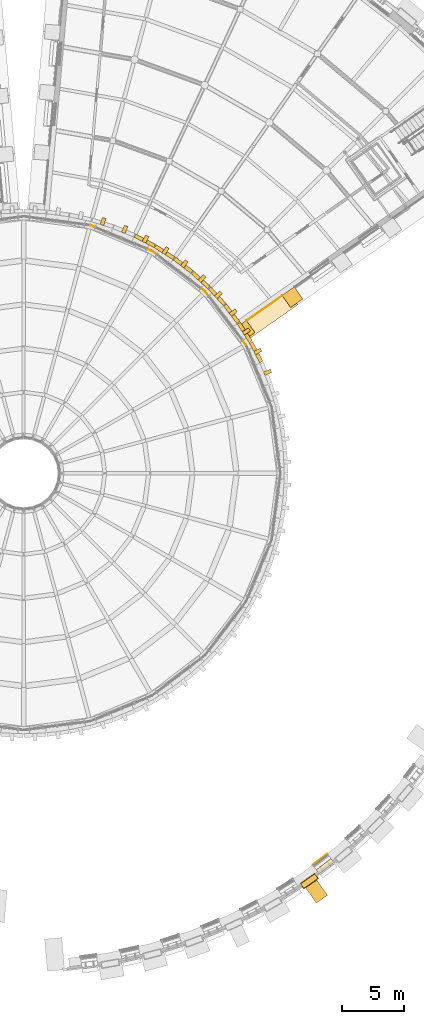
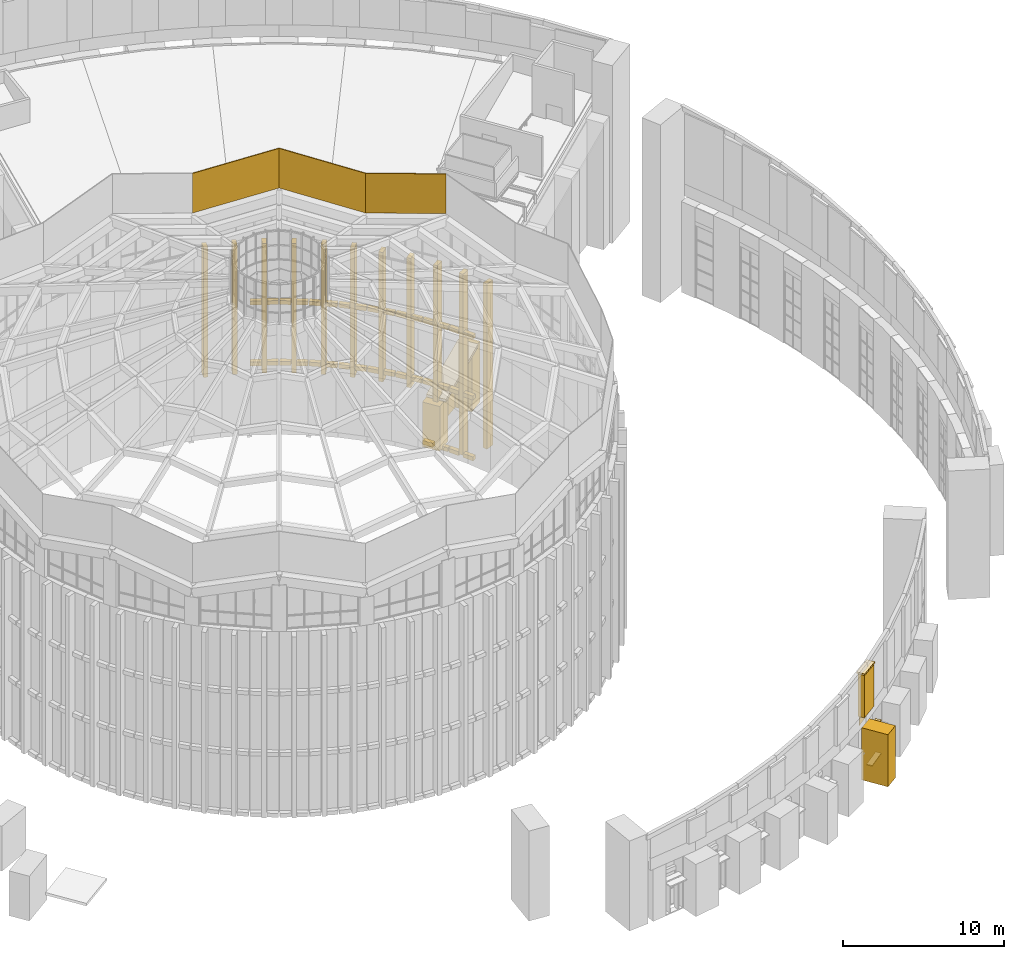
# One storey, part 70 of 82: 60 coverings.
"""IFC4 building model written with IfcOpenShell, lengths in metres."""

from ifc_helpers import new_model, si_unit, direction, frame, origin, origin_2d, place, context, subcontext, project, spatial, polyline, rectangle, outline, extrude, material, layer, layer_set, type_object, element, save


model = new_model("IFC4")

# Units and contexts
model_context = context("Model", 3, precision=1e-05, world=origin(), true_north=direction((0.0, 1.0)))
body_context = subcontext(model_context, "Body", "Model", "MODEL_VIEW")
ifc_project = project(units=[si_unit("LENGTHUNIT", "METRE"), si_unit("AREAUNIT", "SQUARE_METRE"), si_unit("VOLUMEUNIT", "CUBIC_METRE"), si_unit("PLANEANGLEUNIT", "RADIAN"), si_unit("MASSUNIT", "GRAM", prefix="KILO")], contexts=[model_context])

# Site, building, storey
site_placement = place(None, origin())
site = spatial("IfcSite", under=ifc_project, at=site_placement, CompositionType="ELEMENT")
building_placement = place(site_placement, origin())
building = spatial("IfcBuilding", under=site, at=building_placement, Name="Volute Hill Aquarium", CompositionType="ELEMENT")
storey_placement = place(building_placement, frame((0.0, 0.0, 13.800048828125)))
storey = spatial("IfcBuildingStorey", under=building, at=storey_placement, Name="L04", CompositionType="ELEMENT", Elevation=13.800048828125)

# Coverings
ifc_material_1 = material(Name="Precast pale concrete C40/50", Category="concrete")
covering_type_1 = type_object("IfcCoveringType", Name="Drum pier fin 300x600", PredefinedType="CLADDING", material=ifc_material_1)
covering_1_placement = place(storey_placement, frame((19.660400390625, 8.1435546875, 1.199951171875), z_axis=(0.0, 0.0, 1.0), x_axis=(-0.382683432365, 0.923879532511, 0.0)))
element("IfcCovering", 1, at=covering_1_placement, inside=storey, type_object=covering_type_1, Name="Drum pier fin DF 5 L04", PredefinedType="CLADDING", context=body_context, shape_type="SweptSolid", body=[
    extrude(rectangle(XDim=0.300048828125, YDim=0.60009765625, at=origin_2d()), origin(), (0.0, 0.0, 1.0), 12.5),
])
for number, where, z_axis, x_axis, name in (
    (2, (18.8759765625, 9.826171875, 0.0), (0.0, 0.0, 1.0), (-0.461748613235, 0.887010833178, 0.0), "Drum pier fin DF 6 L04"),
    (3, (17.947509765625, 11.433837890625, 0.0), (0.0, 0.0, 1.0), (-0.537299608347, 0.843391445813, 0.0), "Drum pier fin DF 7 L04"),
):
    element("IfcCovering", number, at=place(storey_placement, frame(where, z_axis=z_axis, x_axis=x_axis)), inside=storey, type_object=covering_type_1, Name=name, PredefinedType="CLADDING", context=body_context, shape_type="SweptSolid", body=[
        extrude(rectangle(XDim=0.300048828125, YDim=0.60009765625, at=origin_2d()), origin(), (0.0, 0.0, 1.0), 13.699951171875),
    ])
for number, where, z_axis, x_axis, name in (
    (4, (16.8828125, 12.95458984375, 3.89990234375), (0.0, 0.0, 1.0), (-0.608761429009, 0.793353340291, 0.0), "Drum pier fin DF 8 L04"),
    (5, (15.689453125, 14.376708984375, 3.89990234375), (0.0, 0.0, 1.0), (-0.675590207616, 0.73727733681, 0.0), "Drum pier fin DF 9 L04"),
    (6, (14.376708984375, 15.689453125, 3.89990234375), (0.0, 0.0, 1.0), (-0.73727733681, 0.675590207616, 0.0), "Drum pier fin DF 10 L04"),
    (7, (12.95458984375, 16.8828125, 3.89990234375), (0.0, 0.0, 1.0), (-0.793353340291, 0.608761429009, 0.0), "Drum pier fin DF 11 L04"),
    (8, (11.433837890625, 17.947509765625, 3.89990234375), (0.0, 0.0, 1.0), (-0.843391445813, 0.537299608347, 0.0), "Drum pier fin DF 12 L04"),
    (9, (9.826171875, 18.8759765625, 3.89990234375), (0.0, 0.0, 1.0), (-0.887010833178, 0.461748613235, 0.0), "Drum pier fin DF 13 L04"),
    (10, (8.1435546875, 19.660400390625, 3.89990234375), (0.0, 0.0, 1.0), (-0.923879532511, 0.382683432365, 0.0), "Drum pier fin DF 14 L04"),
    (11, (6.399169921875, 20.29541015625, 3.89990234375), (0.0, 0.0, 1.0), (-0.953716950748, 0.300705799504, 0.0), "Drum pier fin DF 15 L04"),
):
    element("IfcCovering", number, at=place(storey_placement, frame(where, z_axis=z_axis, x_axis=x_axis)), inside=storey, type_object=covering_type_1, Name=name, PredefinedType="CLADDING", context=body_context, shape_type="SweptSolid", body=[
        extrude(rectangle(XDim=0.300048828125, YDim=0.60009765625, at=origin_2d()), origin(), (0.0, 0.0, 1.0), 9.800048828125),
    ])
ifc_material_2 = material(Name="Precast concrete C40/50", Category="concrete")
covering_type_2 = type_object("IfcCoveringType", Name="Drum string course precast concrete C40/50 715x300", PredefinedType="CLADDING", material=ifc_material_2)
for number, where, z_axis, x_axis, name in (
    (12, (18.986328125, 9.2890625, -0.14990234375), (0.0, 0.0, 1.0), (-0.461748613235, 0.887010833178, 0.0), "Drum string course DSC 6.1"),
    (13, (18.499267578125, 10.224853515625, -0.14990234375), (0.0, 0.0, 1.0), (-0.461748613235, 0.887010833178, 0.0), "Drum string course DSC 6.1"),
    (14, (18.986328125, 9.2890625, 4.44970703125), (0.0, 0.0, 1.0), (-0.461748613235, 0.887010833178, 0.0), "Drum string course DSC 6.2"),
    (15, (18.499267578125, 10.224853515625, 4.44970703125), (0.0, 0.0, 1.0), (-0.461748613235, 0.887010833178, 0.0), "Drum string course DSC 6.2"),
    (16, (18.986328125, 9.2890625, 9.0498046875), (0.0, 0.0, 1.0), (-0.461748613235, 0.887010833178, 0.0), "Drum string course DSC 6.3"),
    (17, (18.499267578125, 10.224853515625, 9.0498046875), (0.0, 0.0, 1.0), (-0.461748613235, 0.887010833178, 0.0), "Drum string course DSC 6.3"),
    (18, (18.1044921875, 10.908447265625, -0.14990234375), (0.0, 0.0, 1.0), (-0.537299608347, 0.843391445813, 0.0), "Drum string course DSC 7.1"),
    (19, (17.53759765625, 11.798095703125, -0.14990234375), (0.0, 0.0, 1.0), (-0.537299608347, 0.843391445813, 0.0), "Drum string course DSC 7.1"),
    (20, (18.1044921875, 10.908447265625, 4.44970703125), (0.0, 0.0, 1.0), (-0.537299608347, 0.843391445813, 0.0), "Drum string course DSC 7.2"),
    (21, (17.53759765625, 11.798095703125, 4.44970703125), (0.0, 0.0, 1.0), (-0.537299608347, 0.843391445813, 0.0), "Drum string course DSC 7.2"),
    (22, (18.1044921875, 10.908447265625, 9.0498046875), (0.0, 0.0, 1.0), (-0.537299608347, 0.843391445813, 0.0), "Drum string course DSC 7.3"),
    (23, (17.53759765625, 11.798095703125, 9.0498046875), (0.0, 0.0, 1.0), (-0.537299608347, 0.843391445813, 0.0), "Drum string course DSC 7.3"),
    (24, (17.0849609375, 12.44482421875, 4.44970703125), (0.0, 0.0, 1.0), (-0.608761429009, 0.793353340291, 0.0), "Drum string course DSC 8.2"),
    (25, (16.442626953125, 13.28173828125, 4.44970703125), (0.0, 0.0, 1.0), (-0.608761429009, 0.793353340291, 0.0), "Drum string course DSC 8.2"),
    (26, (17.0849609375, 12.44482421875, 9.0498046875), (0.0, 0.0, 1.0), (-0.608761429009, 0.793353340291, 0.0), "Drum string course DSC 8.3"),
    (27, (16.442626953125, 13.28173828125, 9.0498046875), (0.0, 0.0, 1.0), (-0.608761429009, 0.793353340291, 0.0), "Drum string course DSC 8.3"),
    (28, (15.935302734375, 13.886474609375, 4.44970703125), (0.0, 0.0, 1.0), (-0.675590207616, 0.73727733681, 0.0), "Drum string course DSC 9.2"),
    (29, (15.22265625, 14.664306640625, 4.44970703125), (0.0, 0.0, 1.0), (-0.675590207616, 0.73727733681, 0.0), "Drum string course DSC 9.2"),
    (30, (15.935302734375, 13.886474609375, 9.0498046875), (0.0, 0.0, 1.0), (-0.675590207616, 0.73727733681, 0.0), "Drum string course DSC 9.3"),
    (31, (15.22265625, 14.664306640625, 9.0498046875), (0.0, 0.0, 1.0), (-0.675590207616, 0.73727733681, 0.0), "Drum string course DSC 9.3"),
    (32, (14.664306640625, 15.22265625, 4.44970703125), (0.0, 0.0, 1.0), (-0.73727733681, 0.675590207616, 0.0), "Drum string course DSC 10.2"),
    (33, (13.886474609375, 15.935302734375, 4.44970703125), (0.0, 0.0, 1.0), (-0.73727733681, 0.675590207616, 0.0), "Drum string course DSC 10.2"),
    (34, (14.664306640625, 15.22265625, 9.0498046875), (0.0, 0.0, 1.0), (-0.73727733681, 0.675590207616, 0.0), "Drum string course DSC 10.3"),
    (35, (13.886474609375, 15.935302734375, 9.0498046875), (0.0, 0.0, 1.0), (-0.73727733681, 0.675590207616, 0.0), "Drum string course DSC 10.3"),
    (36, (13.28173828125, 16.442626953125, 4.44970703125), (0.0, 0.0, 1.0), (-0.793353340291, 0.608761429009, 0.0), "Drum string course DSC 11.2"),
    (37, (12.44482421875, 17.0849609375, 4.44970703125), (0.0, 0.0, 1.0), (-0.793353340291, 0.608761429009, 0.0), "Drum string course DSC 11.2"),
    (38, (13.28173828125, 16.442626953125, 9.0498046875), (0.0, 0.0, 1.0), (-0.793353340291, 0.608761429009, 0.0), "Drum string course DSC 11.3"),
    (39, (12.44482421875, 17.0849609375, 9.0498046875), (0.0, 0.0, 1.0), (-0.793353340291, 0.608761429009, 0.0), "Drum string course DSC 11.3"),
    (40, (11.798095703125, 17.53759765625, 4.44970703125), (0.0, 0.0, 1.0), (-0.843391445813, 0.537299608347, 0.0), "Drum string course DSC 12.2"),
    (41, (10.908447265625, 18.1044921875, 4.44970703125), (0.0, 0.0, 1.0), (-0.843391445813, 0.537299608347, 0.0), "Drum string course DSC 12.2"),
    (42, (11.798095703125, 17.53759765625, 9.0498046875), (0.0, 0.0, 1.0), (-0.843391445813, 0.537299608347, 0.0), "Drum string course DSC 12.3"),
    (43, (10.908447265625, 18.1044921875, 9.0498046875), (0.0, 0.0, 1.0), (-0.843391445813, 0.537299608347, 0.0), "Drum string course DSC 12.3"),
    (44, (10.224853515625, 18.499267578125, 4.44970703125), (0.0, 0.0, 1.0), (-0.887010833178, 0.461748613235, 0.0), "Drum string course DSC 13.2"),
    (45, (9.2890625, 18.986328125, 4.44970703125), (0.0, 0.0, 1.0), (-0.887010833178, 0.461748613235, 0.0), "Drum string course DSC 13.2"),
    (46, (10.224853515625, 18.499267578125, 9.0498046875), (0.0, 0.0, 1.0), (-0.887010833178, 0.461748613235, 0.0), "Drum string course DSC 13.3"),
    (47, (9.2890625, 18.986328125, 9.0498046875), (0.0, 0.0, 1.0), (-0.887010833178, 0.461748613235, 0.0), "Drum string course DSC 13.3"),
):
    element("IfcCovering", number, at=place(storey_placement, frame(where, z_axis=z_axis, x_axis=x_axis)), inside=storey, type_object=covering_type_2, Name=name, PredefinedType="CLADDING", context=body_context, shape_type="SweptSolid", body=[
        extrude(rectangle(XDim=0.71484375, YDim=0.300048828125, at=origin_2d()), origin(), (0.0, 0.0, 1.0), 0.300048828125),
    ])
ifc_material_3 = material(Name="Zinc")
ifc_layer_1 = layer(ifc_material_3, 0.06005859375)
ifc_layer_set_1 = layer_set([ifc_layer_1], Name="Eave fascia zinc 60")
covering_type_3 = type_object("IfcCoveringType", Name="Eave fascia zinc 60", PredefinedType="CLADDING", material=ifc_layer_set_1)
covering_2_placement = place(storey_placement, frame((17.950439453125, 10.368408203125, 18.099853515625), z_axis=(0.793359055165, 0.608753981167, 0.0), x_axis=(-0.58930025924, 0.768005978347, -0.250782817759)))
element("IfcCovering", 48, at=covering_2_placement, inside=storey, type_object=covering_type_3, Name="Eave fascia EF 3", PredefinedType="CLADDING", context=body_context, shape_type="SweptSolid", body=[
    extrude(outline(polyline([(0.0, 0.0), (5.582130212353714, -2.220446049250313e-16), (4.829781759077633, 2.9041301287740344), (-0.7523484532760814, 2.904130128774035), (0.0, 0.0)])), origin(), (0.0, 0.0, -1.0), 0.06005859375),
])
covering_3_placement = place(storey_placement, frame((14.655517578125, 14.660888671875, 16.699951171875), z_axis=(0.608753981167, 0.793359055165, 0.0), x_axis=(-0.768005978347, 0.58930025924, 0.250782817759)))
element("IfcCovering", 49, at=covering_3_placement, inside=storey, type_object=covering_type_3, Name="Eave fascia EF 4", PredefinedType="CLADDING", context=body_context, shape_type="SweptSolid", body=[
    extrude(outline(polyline([(0.0, 0.0), (5.582130212353714, 2.220446049250313e-16), (6.3344786656297964, 2.9041301287740353), (0.7523484532760814, 2.904130128774035), (0.0, 0.0)])), origin(), (0.0, 0.0, -1.0), 0.06005859375),
])
covering_4_placement = place(storey_placement, frame((10.361572265625, 17.95458984375, 18.099853515625), z_axis=(0.382673670509, 0.923883575944, 0.0), x_axis=(-0.894359389043, 0.370444717355, -0.250782763791)))
element("IfcCovering", 50, at=covering_4_placement, inside=storey, type_object=covering_type_3, Name="Eave fascia EF 5", PredefinedType="CLADDING", context=body_context, shape_type="SweptSolid", body=[
    extrude(outline(polyline([(0.0, 0.0), (5.582131413601545, 2.220446049250313e-16), (4.829783122227233, 2.9041301707165523), (-0.7523482913743128, 2.9041301707165523), (0.0, 0.0)])), origin(), (0.0, 0.0, -1.0), 0.06005859375),
])
ifc_material_4 = material(Name="Precast concrete C40/50", Category="concrete")
covering_type_4 = type_object("IfcCoveringType", Name="End wall precast coping C40/50 1350x200", PredefinedType="CLADDING", material=ifc_material_4)
covering_5_placement = place(storey_placement, frame((18.23046875, 10.872802734375, 3.385498046875), z_axis=(0.573573515593, -0.819154089418, 0.0), x_axis=(0.793358359706, 0.555511288268, 0.248977351763)))
element("IfcCovering", 51, at=covering_5_placement, inside=storey, type_object=covering_type_4, Name="End wall coping EWC S5A L04 1", PredefinedType="CLADDING", context=body_context, shape_type="SweptSolid", body=[
    extrude(outline(polyline([(0.0, 0.0), (4.869528634486666, 0.0), (4.919311947742069, 0.19365457096464334), (0.049783313255403944, 0.19365457096464342), (0.0, 0.0)])), origin(), (0.0, 0.0, -1.0), 1.35009765625),
])
ifc_material_5 = material(Name="Precast concrete C40/50", Category="concrete")
covering_type_5 = type_object("IfcCoveringType", Name="End wall precast fin C40/50 1200x1200", PredefinedType="CLADDING", material=ifc_material_5)
covering_6_placement = place(storey_placement, frame((17.80029296875, 11.4873046875, 0.0), z_axis=(0.0, 0.0, 1.0), x_axis=(0.819150254575, 0.573578992319, 0.0)))
element("IfcCovering", 52, at=covering_6_placement, inside=storey, type_object=covering_type_5, Name="End wall fin EWF S5A L04 1", PredefinedType="CLADDING", context=body_context, shape_type="SweptSolid", body=[
    extrude(rectangle(XDim=1.199951171875, YDim=1.199951171875, at=origin_2d()), origin(), (0.0, 0.0, 1.0), 3.385498046875),
])
covering_7_placement = place(storey_placement, frame((21.663330078125, 14.192138671875, 0.0), z_axis=(0.0, 0.0, 1.0), x_axis=(0.819150254575, 0.573578992319, 0.0)))
element("IfcCovering", 53, at=covering_7_placement, inside=storey, type_object=covering_type_5, Name="End wall fin EWF S5A L04 2", PredefinedType="CLADDING", context=body_context, shape_type="SweptSolid", body=[
    extrude(rectangle(XDim=1.199951171875, YDim=1.199951171875, at=origin_2d()), origin(), (0.0, 0.0, 1.0), 4.597900390625),
])
ifc_material_6 = material(Name="Precast concrete C40/50", Category="concrete")
ifc_layer_2 = layer(ifc_material_6, 0.050048828125)
ifc_layer_set_2 = layer_set([ifc_layer_2], Name="End wall precast infill panel C40/50 50")
covering_type_6 = type_object("IfcCoveringType", Name="End wall precast infill panel C40/50 50", PredefinedType="CLADDING", material=ifc_layer_set_2)
covering_8_placement = place(storey_placement, frame((17.976318359375, 12.281982421875, 0.0), z_axis=(0.573560206306, -0.819163408449, 0.0), x_axis=(0.819163408449, 0.573560206306, 0.0)))
element("IfcCovering", 54, at=covering_8_placement, inside=storey, type_object=covering_type_6, Name="End wall panel EWP S5A L04 1", PredefinedType="CLADDING", context=body_context, shape_type="SweptSolid", body=[
    extrude(outline(polyline([(0.0, 0.0), (3.5159370199129762, 0.0), (3.5159370199129762, 4.443603515625), (0.0, 3.539794921875), (0.0, 0.0)])), origin(), (0.0, 0.0, -1.0), 0.050048828125),
])
ifc_material_7 = material(Name="Zinc")
ifc_layer_3 = layer(ifc_material_7, 0.050048828125)
ifc_layer_set_3 = layer_set([ifc_layer_3], Name="Niche head cladding panel 50")
covering_type_7 = type_object("IfcCoveringType", Name="Niche head cladding panel 50", PredefinedType="CLADDING", material=ifc_layer_set_3)
covering_9_placement = place(storey_placement, frame((23.88623046875, -31.12890625, 2.89501953125), z_axis=(0.0, 0.0, 1.0), x_axis=(0.793365104798, 0.608746096898, 0.0)))
element("IfcCovering", 55, at=covering_9_placement, inside=storey, type_object=covering_type_7, Name="Niche head cladding NF S3 L04 7", PredefinedType="CLADDING", context=body_context, shape_type="SweptSolid", body=[
    extrude(rectangle(XDim=1.4892578125, YDim=0.050048828125, at=origin_2d()), origin(), (0.0, 0.0, 1.0), 1.046875),
])
ifc_material_8 = material(Name="Precast concrete C40/50", Category="concrete")
ifc_layer_4 = layer(ifc_material_8, 0.1201171875)
ifc_layer_set_4 = layer_set([ifc_layer_4], Name="Pier crown coping precast concrete C40/50 1482x550")
covering_type_8 = type_object("IfcCoveringType", Name="Pier crown coping precast concrete C40/50 1482x550", PredefinedType="CLADDING", material=ifc_layer_set_4)
covering_10_placement = place(storey_placement, frame((23.0185546875, -32.873779296875, 8.093505859375), z_axis=(0.0, 0.0, 1.0), x_axis=(0.819152044289, 0.573576436351, 0.0)))
element("IfcCovering", 56, at=covering_10_placement, inside=storey, type_object=covering_type_8, Name="Pier crown coping PCC S3 6", PredefinedType="CLADDING", context=body_context, shape_type="SweptSolid", body=[
    extrude(rectangle(XDim=1.48193359375, YDim=0.550048828125, at=origin_2d()), origin(), (0.0, 0.0, 1.0), 0.1201171875),
])
ifc_material_9 = material(Name="Precast concrete C40/50", Category="concrete")
covering_type_9 = type_object("IfcCoveringType", Name="Pier crown fin precast concrete C40/50 1382x450", PredefinedType="CLADDING", material=ifc_material_9)
covering_11_placement = place(storey_placement, frame((23.0185546875, -32.873779296875, 4.841796875), z_axis=(0.0, 0.0, 1.0), x_axis=(0.819152044289, 0.573576436351, 0.0)))
element("IfcCovering", 57, at=covering_11_placement, inside=storey, type_object=covering_type_9, Name="Pier crown fin PC S3 6", PredefinedType="CLADDING", context=body_context, shape_type="SweptSolid", body=[
    extrude(rectangle(XDim=1.3818359375, YDim=0.449951171875, at=origin_2d()), origin(), (0.0, 0.0, 1.0), 3.251708984375),
])
ifc_material_10 = material(Name="Precast concrete C40/50", Category="concrete")
covering_type_10 = type_object("IfcCoveringType", Name="Projecting pier precast concrete C40/50 1100x1800", PredefinedType="CLADDING", material=ifc_material_10)
covering_12_placement = place(storey_placement, frame((23.5205078125, -33.590576171875, 0.0), z_axis=(0.0, 0.0, 1.0), x_axis=(0.819152044289, 0.573576436351, 0.0)))
element("IfcCovering", 58, at=covering_12_placement, inside=storey, type_object=covering_type_10, Name="Projecting pier PP S3 L04 6", PredefinedType="CLADDING", context=body_context, shape_type="SweptSolid", body=[
    extrude(rectangle(XDim=1.10009765625, YDim=1.800048828125, at=origin_2d()), origin(), (0.0, 0.0, 1.0), 3.94189453125),
])
ifc_material_11 = material(Name="Timber, thermally modified ash", Category="wood")
covering_type_11 = type_object("IfcCoveringType", Name="Timber louvre fin rail 400x80", PredefinedType="CLADDING", material=ifc_material_11)
for number, where, z_axis, x_axis, name in (
    (59, (24.297119140625, -31.66455078125, 0.0), (0.0, 0.0, 1.0), (0.793365104798, 0.608746096898, 0.0), "Timber louvre fin rail S3 L04 7.1"),
    (60, (24.297119140625, -31.66455078125, 2.514892578125), (0.0, 0.0, 1.0), (0.793365104798, 0.608746096898, 0.0), "Timber louvre fin rail S3 L04 7.2"),
):
    element("IfcCovering", number, at=place(storey_placement, frame(where, z_axis=z_axis, x_axis=x_axis)), inside=storey, type_object=covering_type_11, Name=name, PredefinedType="CLADDING", context=body_context, shape_type="SweptSolid", body=[
        extrude(rectangle(XDim=1.4892578125, YDim=0.39990234375, at=origin_2d()), origin(), (0.0, 0.0, 1.0), 0.080078125),
    ])

save(model, "model.ifc")
